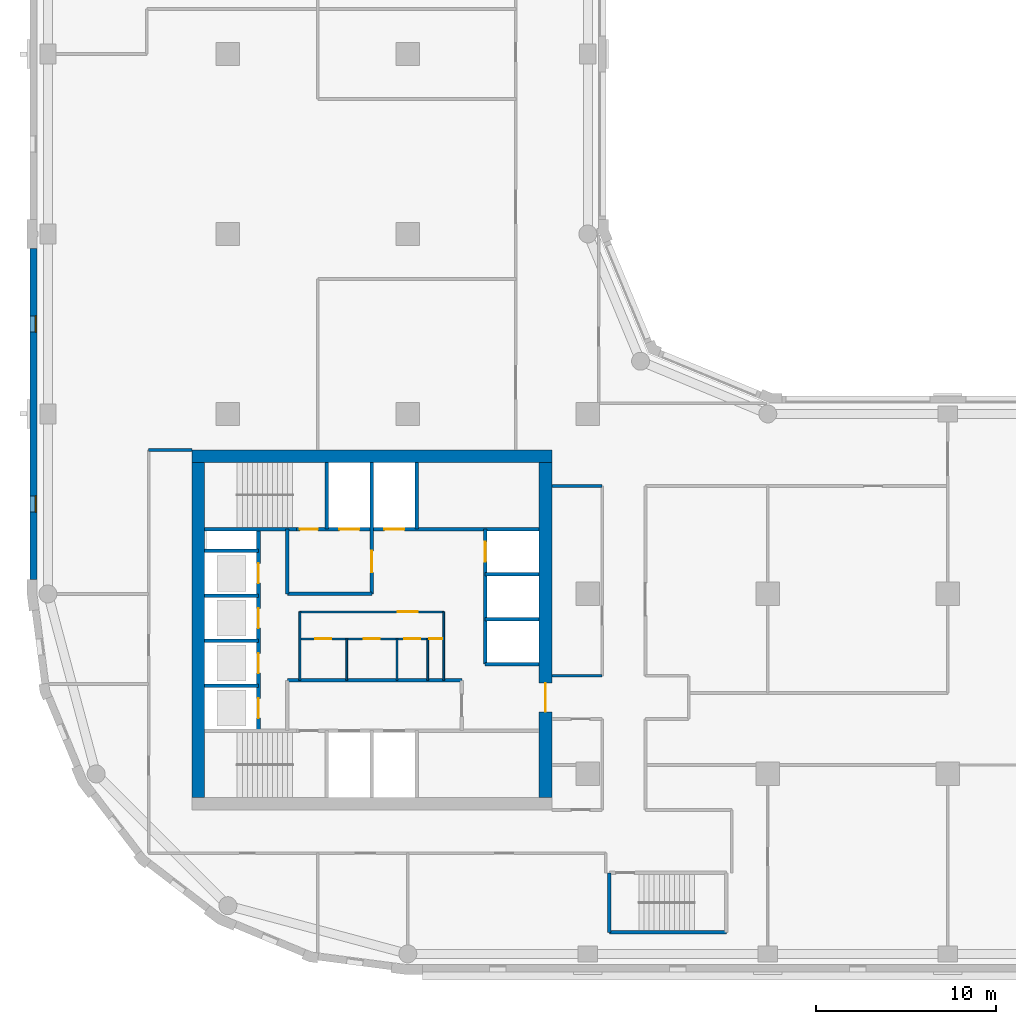
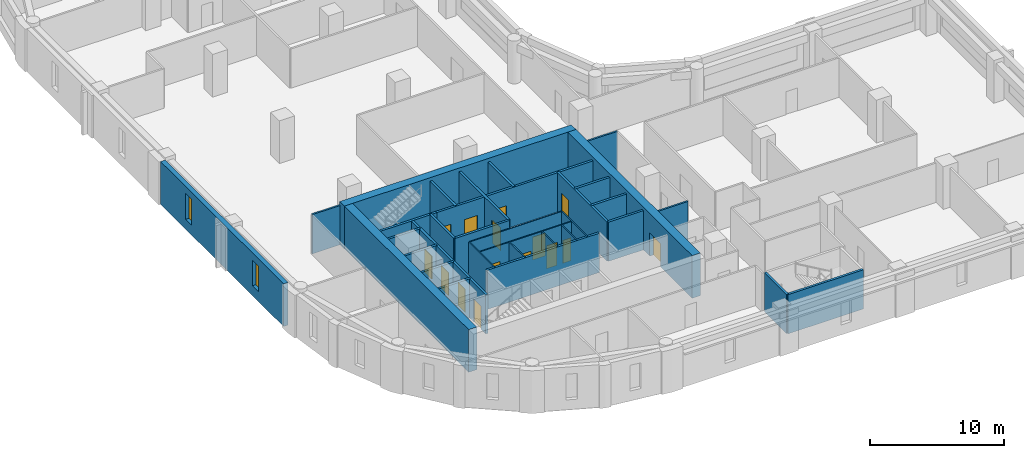
# One storey, part 3 of 9: 33 walls, 15 doors, 2 windows, 17 openings.
"""IFC4 building model written with IfcOpenShell, lengths in metres."""

from ifc_helpers import new_model, si_unit, direction, frame, frame_2d, origin, place, context, subcontext, project, spatial, rectangle, extrude, material, layer, layer_set, type_object, element, fill, save


model = new_model("IFC4")

# Units and contexts
model_context = context("Model", 3, precision=1e-05, world=origin(), true_north=direction((0.0, 1.0)))
body_context = subcontext(model_context, "Body", "Model", "MODEL_VIEW")
ifc_project = project(units=[si_unit("LENGTHUNIT", "METRE"), si_unit("AREAUNIT", "SQUARE_METRE"), si_unit("VOLUMEUNIT", "CUBIC_METRE"), si_unit("PLANEANGLEUNIT", "RADIAN"), si_unit("MASSUNIT", "GRAM", prefix="KILO")], contexts=[model_context])

# Site, building, storey
site_placement = place(None, origin())
site = spatial("IfcSite", under=ifc_project, at=site_placement, CompositionType="ELEMENT")
building_placement = place(site_placement, origin())
building = spatial("IfcBuilding", under=site, at=building_placement, Name="Qaws Garden Tower", CompositionType="ELEMENT")
storey_placement = place(building_placement, frame((0.0, 0.0, 190.199951171875)))
storey = spatial("IfcBuildingStorey", under=building, at=storey_placement, Name="L46", CompositionType="ELEMENT", Elevation=190.199951171875)

# Wall, openings, windows
ifc_material_1 = material(Name="Clay facing brick masonry", Category="masonry")
ifc_layer_1 = layer(ifc_material_1, 0.39990234375)
ifc_layer_set_1 = layer_set([ifc_layer_1], Name="Clay facing brick masonry")
wall_type_1 = type_object("IfcWallType", Name="Brick infill wall 400", PredefinedType="SOLIDWALL", material=ifc_layer_set_1)
wall_1_placement = place(storey_placement, frame((-0.800048828125, 39.199951171875, 0.0), z_axis=(0.0, 0.0, 1.0), x_axis=(0.0, -1.0, 0.0)))
wall_1 = element("IfcWall", 1, at=wall_1_placement, inside=storey, type_object=wall_type_1, Name="E-L46-infill-23", PredefinedType="SOLIDWALL", context=body_context, shape_type="SweptSolid", body=[
    extrude(rectangle(XDim=18.39990234375, YDim=0.39990234375, at=frame_2d((9.199951171875, 0.0))), origin(), (0.0, 0.0, 1.0), 3.900146484375),
])
opening_1_placement = place(wall_1_placement, frame((3.75, 0.0, 0.89990234375)))
opening_1 = element("IfcOpeningElement", 2, at=opening_1_placement, cuts=wall_1, Name="Opening W09", PredefinedType="OPENING", context=body_context, shape_type="SweptSolid", body=[
    extrude(rectangle(XDim=0.89990234375, YDim=2.35009765625, at=frame_2d((0.449951171875, 1.175048828125))), frame((0.0, 0.2099609375, 0.0), z_axis=(0.0, -1.0, 0.0), x_axis=(1.0, 0.0, 0.0)), (0.0, 0.0, 1.0), 0.419921875),
])
opening_2_placement = place(wall_1_placement, frame((13.75, 0.0, 0.89990234375)))
opening_2 = element("IfcOpeningElement", 3, at=opening_2_placement, cuts=wall_1, Name="Opening W09", PredefinedType="OPENING", context=body_context, shape_type="SweptSolid", body=[
    extrude(rectangle(XDim=0.89990234375, YDim=2.35009765625, at=frame_2d((0.449951171875, 1.175048828125))), frame((0.0, 0.2099609375, 0.0), z_axis=(0.0, -1.0, 0.0), x_axis=(1.0, 0.0, 0.0)), (0.0, 0.0, 1.0), 0.419921875),
])
ifc_material_2 = material(Name="Aluminium framed window, clear glazing", Category="aluminium")
window_type = type_object("IfcWindowType", Name="Slit window 900 x 2350", PartitioningType="SINGLE_PANEL", PredefinedType="WINDOW", material=ifc_material_2)
window_1_placement = place(opening_1_placement, origin())
window_1 = element("IfcWindow", 4, at=window_1_placement, inside=storey, type_object=window_type, Name="E-L46-window-23-0", OverallHeight=2.35009765625, OverallWidth=0.89990234375, PartitioningType="SINGLE_PANEL", PredefinedType="WINDOW", context=body_context, shape_type="SweptSolid", body=[
    extrude(rectangle(XDim=0.89990234375, YDim=2.35009765625, at=frame_2d((0.449951171875, 1.175048828125))), frame((0.0, 0.159912109375, 0.0), z_axis=(0.0, -1.0, 0.0), x_axis=(1.0, 0.0, 0.0)), (0.0, 0.0, 1.0), 0.06005859375),
])
fill(opening_1, window_1)
window_2_placement = place(opening_2_placement, origin())
window_2 = element("IfcWindow", 5, at=window_2_placement, inside=storey, type_object=window_type, Name="E-L46-window-24-0", OverallHeight=2.35009765625, OverallWidth=0.89990234375, PartitioningType="SINGLE_PANEL", PredefinedType="WINDOW", context=body_context, shape_type="SweptSolid", body=[
    extrude(rectangle(XDim=0.89990234375, YDim=2.35009765625, at=frame_2d((0.449951171875, 1.175048828125))), frame((0.0, 0.159912109375, 0.0), z_axis=(0.0, -1.0, 0.0), x_axis=(1.0, 0.0, 0.0)), (0.0, 0.0, 1.0), 0.06005859375),
])
fill(opening_2, window_2)

# Wall, openings, doors
ifc_material_3 = material(Name="Plasterboard")
ifc_layer_2 = layer(ifc_material_3, 0.10009765625)
ifc_layer_set_2 = layer_set([ifc_layer_2], Name="Plasterboard")
wall_type_2 = type_object("IfcWallType", Name="Core partition 100", PredefinedType="PARTITIONING", material=ifc_layer_set_2)
wall_2_placement = place(storey_placement, frame((14.0, 17.5, 0.0), z_axis=(0.0, 0.0, 1.0), x_axis=(1.0, 0.0, 0.0)))
wall_2 = element("IfcWall", 6, at=wall_2_placement, inside=storey, type_object=wall_type_2, Name="Core partition", PredefinedType="PARTITIONING", context=body_context, shape_type="SweptSolid", body=[
    extrude(rectangle(XDim=8.0, YDim=0.10009765625, at=frame_2d((4.0, 0.0))), origin(), (0.0, 0.0, 1.0), 3.580078125),
])
opening_3_placement = place(wall_2_placement, frame((0.85009765625, 0.0, 0.0)))
opening_3 = element("IfcOpeningElement", 7, at=opening_3_placement, cuts=wall_2, Name="Opening WD18", PredefinedType="OPENING", context=body_context, shape_type="SweptSolid", body=[
    extrude(rectangle(XDim=0.89990234375, YDim=2.10009765625, at=frame_2d((0.449951171875, 1.050048828125))), frame((0.0, 0.06005859375, 0.0), z_axis=(0.0, -1.0, 0.0), x_axis=(1.0, 0.0, 0.0)), (0.0, 0.0, 1.0), 0.1201171875),
])
opening_4_placement = place(wall_2_placement, frame((3.550048828125, 0.0, 0.0)))
opening_4 = element("IfcOpeningElement", 8, at=opening_4_placement, cuts=wall_2, Name="Opening WD19", PredefinedType="OPENING", context=body_context, shape_type="SweptSolid", body=[
    extrude(rectangle(XDim=0.89990234375, YDim=2.10009765625, at=frame_2d((0.449951171875, 1.050048828125))), frame((0.0, 0.06005859375, 0.0), z_axis=(0.0, -1.0, 0.0), x_axis=(1.0, 0.0, 0.0)), (0.0, 0.0, 1.0), 0.1201171875),
])
opening_5_placement = place(wall_2_placement, frame((5.800048828125, 0.0, 0.0)))
opening_5 = element("IfcOpeningElement", 9, at=opening_5_placement, cuts=wall_2, Name="Opening WD20", PredefinedType="OPENING", context=body_context, shape_type="SweptSolid", body=[
    extrude(rectangle(XDim=0.89990234375, YDim=2.10009765625, at=frame_2d((0.449951171875, 1.050048828125))), frame((0.0, 0.06005859375, 0.0), z_axis=(0.0, -1.0, 0.0), x_axis=(1.0, 0.0, 0.0)), (0.0, 0.0, 1.0), 0.1201171875),
])
opening_6_placement = place(wall_2_placement, frame((7.199951171875, 0.0, 0.0)))
opening_6 = element("IfcOpeningElement", 10, at=opening_6_placement, cuts=wall_2, Name="Opening XD21", PredefinedType="OPENING", context=body_context, shape_type="SweptSolid", body=[
    extrude(rectangle(XDim=0.699951171875, YDim=2.10009765625, at=frame_2d((0.35009765625, 1.050048828125))), frame((0.0, 0.06005859375, 0.0), z_axis=(0.0, -1.0, 0.0), x_axis=(1.0, 0.0, 0.0)), (0.0, 0.0, 1.0), 0.1201171875),
])
ifc_material_4 = material(Name="Timber", Category="wood")
door_type_1 = type_object("IfcDoorType", Name="Store door 700x2100", OperationType="SINGLE_SWING_LEFT", PredefinedType="DOOR", material=ifc_material_4)
door_1_placement = place(opening_6_placement, frame((0.699951171875, 0.0, 0.0), z_axis=(0.0, 0.0, 1.0), x_axis=(-1.0, 0.0, 0.0)))
door_1 = element("IfcDoor", 11, at=door_1_placement, inside=storey, type_object=door_type_1, Name="Cleaner's store door", OperationType="SINGLE_SWING_LEFT", OverallHeight=2.10009765625, OverallWidth=0.699951171875, PredefinedType="DOOR", context=body_context, shape_type="SweptSolid", body=[
    extrude(rectangle(XDim=0.699951171875, YDim=2.10009765625, at=frame_2d((0.35009765625, 1.050048828125))), frame((0.0, 0.02490234375, 0.0), z_axis=(0.0, -1.0, 0.0), x_axis=(1.0, 0.0, 0.0)), (0.0, 0.0, 1.0), 0.050048828125),
])
fill(opening_6, door_1)
ifc_material_5 = material(Name="Timber", Category="wood")
door_type_2 = type_object("IfcDoorType", Name="WC door 900x2100", OperationType="SINGLE_SWING_LEFT", PredefinedType="DOOR", material=ifc_material_5)
door_2_placement = place(opening_3_placement, frame((0.89990234375, 0.0, 0.0), z_axis=(0.0, 0.0, 1.0), x_axis=(-1.0, 0.0, 0.0)))
door_2 = element("IfcDoor", 12, at=door_2_placement, inside=storey, type_object=door_type_2, Name="Men's WC door", OperationType="SINGLE_SWING_LEFT", OverallHeight=2.10009765625, OverallWidth=0.89990234375, PredefinedType="DOOR", context=body_context, shape_type="SweptSolid", body=[
    extrude(rectangle(XDim=0.89990234375, YDim=2.10009765625, at=frame_2d((0.449951171875, 1.050048828125))), frame((0.0, 0.02490234375, 0.0), z_axis=(0.0, -1.0, 0.0), x_axis=(1.0, 0.0, 0.0)), (0.0, 0.0, 1.0), 0.050048828125),
])
fill(opening_3, door_2)
door_3_placement = place(opening_4_placement, frame((0.89990234375, 0.0, 0.0), z_axis=(0.0, 0.0, 1.0), x_axis=(-1.0, 0.0, 0.0)))
door_3 = element("IfcDoor", 13, at=door_3_placement, inside=storey, type_object=door_type_2, Name="Women's WC door", OperationType="SINGLE_SWING_LEFT", OverallHeight=2.10009765625, OverallWidth=0.89990234375, PredefinedType="DOOR", context=body_context, shape_type="SweptSolid", body=[
    extrude(rectangle(XDim=0.89990234375, YDim=2.10009765625, at=frame_2d((0.449951171875, 1.050048828125))), frame((0.0, 0.02490234375, 0.0), z_axis=(0.0, -1.0, 0.0), x_axis=(1.0, 0.0, 0.0)), (0.0, 0.0, 1.0), 0.050048828125),
])
fill(opening_4, door_3)
door_4_placement = place(opening_5_placement, frame((0.89990234375, 0.0, 0.0), z_axis=(0.0, 0.0, 1.0), x_axis=(-1.0, 0.0, 0.0)))
door_4 = element("IfcDoor", 14, at=door_4_placement, inside=storey, type_object=door_type_2, Name="Accessible WC door", OperationType="SINGLE_SWING_LEFT", OverallHeight=2.10009765625, OverallWidth=0.89990234375, PredefinedType="DOOR", context=body_context, shape_type="SweptSolid", body=[
    extrude(rectangle(XDim=0.89990234375, YDim=2.10009765625, at=frame_2d((0.449951171875, 1.050048828125))), frame((0.0, 0.02490234375, 0.0), z_axis=(0.0, -1.0, 0.0), x_axis=(1.0, 0.0, 0.0)), (0.0, 0.0, 1.0), 0.050048828125),
])
fill(opening_5, door_4)

# Wall, opening, door
wall_3_placement = place(storey_placement, frame((14.0, 19.0, 0.0), z_axis=(0.0, 0.0, 1.0), x_axis=(1.0, 0.0, 0.0)))
wall_3 = element("IfcWall", 15, at=wall_3_placement, inside=storey, type_object=wall_type_2, Name="Core partition", PredefinedType="PARTITIONING", context=body_context, shape_type="SweptSolid", body=[
    extrude(rectangle(XDim=8.0, YDim=0.10009765625, at=frame_2d((4.0, 0.0))), origin(), (0.0, 0.0, 1.0), 3.580078125),
])
opening_7_placement = place(wall_3_placement, frame((5.449951171875, 0.0, 0.0)))
opening_7 = element("IfcOpeningElement", 16, at=opening_7_placement, cuts=wall_3, Name="Opening WL17", PredefinedType="OPENING", context=body_context, shape_type="SweptSolid", body=[
    extrude(rectangle(XDim=1.10009765625, YDim=2.10009765625, at=frame_2d((0.550048828125, 1.050048828125))), frame((0.0, 0.06005859375, 0.0), z_axis=(0.0, -1.0, 0.0), x_axis=(1.0, 0.0, 0.0)), (0.0, 0.0, 1.0), 0.1201171875),
])
ifc_material_6 = material(Name="Timber", Category="wood")
door_type_3 = type_object("IfcDoorType", Name="WC lobby door 1100x2100", OperationType="SINGLE_SWING_LEFT", PredefinedType="DOOR", material=ifc_material_6)
door_5_placement = place(opening_7_placement, frame((1.10009765625, 0.0, 0.0), z_axis=(0.0, 0.0, 1.0), x_axis=(-1.0, 0.0, 0.0)))
door_5 = element("IfcDoor", 17, at=door_5_placement, inside=storey, type_object=door_type_3, Name="WC lobby door", OperationType="SINGLE_SWING_LEFT", OverallHeight=2.10009765625, OverallWidth=1.10009765625, PredefinedType="DOOR", context=body_context, shape_type="SweptSolid", body=[
    extrude(rectangle(XDim=1.10009765625, YDim=2.10009765625, at=frame_2d((0.550048828125, 1.050048828125))), frame((0.0, 0.02490234375, 0.0), z_axis=(0.0, -1.0, 0.0), x_axis=(1.0, 0.0, 0.0)), (0.0, 0.0, 1.0), 0.050048828125),
])
fill(opening_7, door_5)

# Walls
wall_4_placement = place(storey_placement, frame((14.0, 15.199951171875, 0.0), z_axis=(0.0, 0.0, 1.0), x_axis=(0.0, 1.0, 0.0)))
element("IfcWall", 18, at=wall_4_placement, inside=storey, type_object=wall_type_2, Name="Core partition", PredefinedType="PARTITIONING", context=body_context, shape_type="SweptSolid", body=[
    extrude(rectangle(XDim=3.800048828125, YDim=0.10009765625, at=frame_2d((1.89990234375, 0.0))), origin(), (0.0, 0.0, 1.0), 3.580078125),
])
for number, where, z_axis, x_axis, name in (
    (19, (16.60009765625, 15.199951171875, 0.0), (0.0, 0.0, 1.0), (0.0, 1.0, 0.0), "Core partition"),
    (20, (19.39990234375, 15.199951171875, 0.0), (0.0, 0.0, 1.0), (0.0, 1.0, 0.0), "Core partition"),
    (21, (21.10009765625, 15.199951171875, 0.0), (0.0, 0.0, 1.0), (0.0, 1.0, 0.0), "Core partition"),
):
    element("IfcWall", number, at=place(storey_placement, frame(where, z_axis=z_axis, x_axis=x_axis)), inside=storey, type_object=wall_type_2, Name=name, PredefinedType="PARTITIONING", context=body_context, shape_type="SweptSolid", body=[
        extrude(rectangle(XDim=2.300048828125, YDim=0.10009765625, at=frame_2d((1.14990234375, 0.0))), origin(), (0.0, 0.0, 1.0), 3.580078125),
    ])
wall_5_placement = place(storey_placement, frame((22.0, 15.199951171875, 0.0), z_axis=(0.0, 0.0, 1.0), x_axis=(0.0, 1.0, 0.0)))
element("IfcWall", 22, at=wall_5_placement, inside=storey, type_object=wall_type_2, Name="Core partition", PredefinedType="PARTITIONING", context=body_context, shape_type="SweptSolid", body=[
    extrude(rectangle(XDim=3.800048828125, YDim=0.10009765625, at=frame_2d((1.89990234375, 0.0))), origin(), (0.0, 0.0, 1.0), 3.580078125),
])
ifc_material_7 = material(Name="Concrete C70", Category="concrete")
ifc_layer_3 = layer(ifc_material_7, 0.199951171875)
ifc_layer_set_3 = layer_set([ifc_layer_3], Name="Concrete C70")
wall_type_3 = type_object("IfcWallType", Name="Core shaft wall 200 C70", PredefinedType="SHEAR", material=ifc_layer_set_3)
wall_6_placement = place(storey_placement, frame((31.199951171875, 1.199951171875, 0.0), z_axis=(0.0, 0.0, 1.0), x_axis=(1.0, 0.0, 0.0)))
element("IfcWall", 23, at=wall_6_placement, inside=storey, type_object=wall_type_3, Name="Shaft wall", PredefinedType="SHEAR", context=body_context, shape_type="SweptSolid", body=[
    extrude(rectangle(XDim=6.5, YDim=0.199951171875, at=frame_2d((3.25, 0.0))), origin(), (0.0, 0.0, 1.0), 3.580078125),
])
wall_7_placement = place(storey_placement, frame((8.699951171875, 14.89990234375, 0.0), z_axis=(0.0, 0.0, 1.0), x_axis=(1.0, 0.0, 0.0)))
element("IfcWall", 24, at=wall_7_placement, inside=storey, type_object=wall_type_3, Name="Shaft wall", PredefinedType="SHEAR", context=body_context, shape_type="SweptSolid", body=[
    extrude(rectangle(XDim=3.0, YDim=0.199951171875, at=frame_2d((1.5, 0.0))), origin(), (0.0, 0.0, 1.0), 3.580078125),
])
wall_8_placement = place(storey_placement, frame((13.300048828125, 15.199951171875, 0.0), z_axis=(0.0, 0.0, 1.0), x_axis=(1.0, 0.0, 0.0)))
element("IfcWall", 25, at=wall_8_placement, inside=storey, type_object=wall_type_3, Name="Shaft wall", PredefinedType="SHEAR", context=body_context, shape_type="SweptSolid", body=[
    extrude(rectangle(XDim=9.699951171875, YDim=0.199951171875, at=frame_2d((4.85009765625, 0.0))), origin(), (0.0, 0.0, 1.0), 3.580078125),
])
for number, where, z_axis, x_axis, name in (
    (26, (24.300048828125, 16.10009765625, 0.0), (0.0, 0.0, 1.0), (1.0, 0.0, 0.0), "Shaft wall"),
    (27, (8.699951171875, 17.39990234375, 0.0), (0.0, 0.0, 1.0), (1.0, 0.0, 0.0), "Shaft wall"),
    (28, (24.300048828125, 18.60009765625, 0.0), (0.0, 0.0, 1.0), (1.0, 0.0, 0.0), "Shaft wall"),
    (29, (8.699951171875, 19.89990234375, 0.0), (0.0, 0.0, 1.0), (1.0, 0.0, 0.0), "Shaft wall"),
):
    element("IfcWall", number, at=place(storey_placement, frame(where, z_axis=z_axis, x_axis=x_axis)), inside=storey, type_object=wall_type_3, Name=name, PredefinedType="SHEAR", context=body_context, shape_type="SweptSolid", body=[
        extrude(rectangle(XDim=3.0, YDim=0.199951171875, at=frame_2d((1.5, 0.0))), origin(), (0.0, 0.0, 1.0), 3.580078125),
    ])
wall_9_placement = place(storey_placement, frame((13.300048828125, 20.0, 0.0), z_axis=(0.0, 0.0, 1.0), x_axis=(1.0, 0.0, 0.0)))
element("IfcWall", 30, at=wall_9_placement, inside=storey, type_object=wall_type_3, Name="Shaft wall", PredefinedType="SHEAR", context=body_context, shape_type="SweptSolid", body=[
    extrude(rectangle(XDim=4.699951171875, YDim=0.199951171875, at=frame_2d((2.35009765625, 0.0))), origin(), (0.0, 0.0, 1.0), 3.580078125),
])
for number, where, z_axis, x_axis, name in (
    (31, (24.300048828125, 21.10009765625, 0.0), (0.0, 0.0, 1.0), (1.0, 0.0, 0.0), "Shaft wall"),
    (32, (8.699951171875, 22.39990234375, 0.0), (0.0, 0.0, 1.0), (1.0, 0.0, 0.0), "Shaft wall"),
):
    element("IfcWall", number, at=place(storey_placement, frame(where, z_axis=z_axis, x_axis=x_axis)), inside=storey, type_object=wall_type_3, Name=name, PredefinedType="SHEAR", context=body_context, shape_type="SweptSolid", body=[
        extrude(rectangle(XDim=3.0, YDim=0.199951171875, at=frame_2d((1.5, 0.0))), origin(), (0.0, 0.0, 1.0), 3.580078125),
    ])
wall_10_placement = place(storey_placement, frame((8.699951171875, 23.60009765625, 0.0), z_axis=(0.0, 0.0, 1.0), x_axis=(1.0, 0.0, 0.0)))
element("IfcWall", 33, at=wall_10_placement, inside=storey, type_object=wall_type_3, Name="Shaft wall", PredefinedType="SHEAR", context=body_context, shape_type="SweptSolid", body=[
    extrude(rectangle(XDim=5.10009765625, YDim=0.199951171875, at=frame_2d((2.550048828125, 0.0))), origin(), (0.0, 0.0, 1.0), 3.580078125),
])

# Wall, openings, doors
wall_11_placement = place(storey_placement, frame((13.800048828125, 23.60009765625, 0.0), z_axis=(0.0, 0.0, 1.0), x_axis=(1.0, 0.0, 0.0)))
wall_11 = element("IfcWall", 34, at=wall_11_placement, inside=storey, type_object=wall_type_3, Name="Shaft wall", PredefinedType="SHEAR", context=body_context, shape_type="SweptSolid", body=[
    extrude(rectangle(XDim=13.5, YDim=0.199951171875, at=frame_2d((6.75, 0.0))), origin(), (0.0, 0.0, 1.0), 3.580078125),
])
opening_8_placement = place(wall_11_placement, frame((2.39990234375, 0.0, 0.0)))
opening_8 = element("IfcOpeningElement", 35, at=opening_8_placement, cuts=wall_11, Name="Opening LD08", PredefinedType="OPENING", context=body_context, shape_type="SweptSolid", body=[
    extrude(rectangle(XDim=1.10009765625, YDim=2.10009765625, at=frame_2d((0.550048828125, 1.050048828125))), frame((0.0, 0.10986328125, 0.0), z_axis=(0.0, -1.0, 0.0), x_axis=(1.0, 0.0, 0.0)), (0.0, 0.0, 1.0), 0.219970703125),
])
opening_9_placement = place(wall_11_placement, frame((4.89990234375, 0.0, 0.0)))
opening_9 = element("IfcOpeningElement", 36, at=opening_9_placement, cuts=wall_11, Name="Opening LD09", PredefinedType="OPENING", context=body_context, shape_type="SweptSolid", body=[
    extrude(rectangle(XDim=1.10009765625, YDim=2.10009765625, at=frame_2d((0.550048828125, 1.050048828125))), frame((0.0, 0.10986328125, 0.0), z_axis=(0.0, -1.0, 0.0), x_axis=(1.0, 0.0, 0.0)), (0.0, 0.0, 1.0), 0.219970703125),
])
opening_10_placement = place(wall_11_placement, frame((0.199951171875, 0.0, 0.0)))
opening_10 = element("IfcOpeningElement", 37, at=opening_10_placement, cuts=wall_11, Name="Opening SD11", PredefinedType="OPENING", context=body_context, shape_type="SweptSolid", body=[
    extrude(rectangle(XDim=1.0, YDim=2.10009765625, at=frame_2d((0.5, 1.050048828125))), frame((0.0, 0.10986328125, 0.0), z_axis=(0.0, -1.0, 0.0), x_axis=(1.0, 0.0, 0.0)), (0.0, 0.0, 1.0), 0.219970703125),
])
ifc_material_8 = material(Name="Steel S235", Category="steel")
door_type_4 = type_object("IfcDoorType", Name="Landing door 1100x2100", OperationType="DOUBLE_DOOR_SLIDING", PredefinedType="DOOR", material=ifc_material_8)
door_6_placement = place(opening_8_placement, origin())
door_6 = element("IfcDoor", 38, at=door_6_placement, inside=storey, type_object=door_type_4, Name="Lift FF3 landing door", OperationType="DOUBLE_DOOR_SLIDING", OverallHeight=2.10009765625, OverallWidth=1.10009765625, PredefinedType="DOOR", context=body_context, shape_type="SweptSolid", body=[
    extrude(rectangle(XDim=1.10009765625, YDim=2.10009765625, at=frame_2d((0.550048828125, 1.050048828125))), frame((0.0, 0.02490234375, 0.0), z_axis=(0.0, -1.0, 0.0), x_axis=(1.0, 0.0, 0.0)), (0.0, 0.0, 1.0), 0.050048828125),
])
fill(opening_8, door_6)
door_7_placement = place(opening_9_placement, origin())
door_7 = element("IfcDoor", 39, at=door_7_placement, inside=storey, type_object=door_type_4, Name="Lift SV2 landing door", OperationType="DOUBLE_DOOR_SLIDING", OverallHeight=2.10009765625, OverallWidth=1.10009765625, PredefinedType="DOOR", context=body_context, shape_type="SweptSolid", body=[
    extrude(rectangle(XDim=1.10009765625, YDim=2.10009765625, at=frame_2d((0.550048828125, 1.050048828125))), frame((0.0, 0.02490234375, 0.0), z_axis=(0.0, -1.0, 0.0), x_axis=(1.0, 0.0, 0.0)), (0.0, 0.0, 1.0), 0.050048828125),
])
fill(opening_9, door_7)
ifc_material_9 = material(Name="Steel S235", Category="steel")
door_type_5 = type_object("IfcDoorType", Name="Stair door 1000x2100", OperationType="SINGLE_SWING_RIGHT", PredefinedType="DOOR", material=ifc_material_9)
door_8_placement = place(opening_10_placement, origin())
door_8 = element("IfcDoor", 40, at=door_8_placement, inside=storey, type_object=door_type_5, Name="Stair 4 door", OperationType="SINGLE_SWING_RIGHT", OverallHeight=2.10009765625, OverallWidth=1.0, PredefinedType="DOOR", context=body_context, shape_type="SweptSolid", body=[
    extrude(rectangle(XDim=1.0, YDim=2.10009765625, at=frame_2d((0.5, 1.050048828125))), frame((0.0, 0.02490234375, 0.0), z_axis=(0.0, -1.0, 0.0), x_axis=(1.0, 0.0, 0.0)), (0.0, 0.0, 1.0), 0.050048828125),
])
fill(opening_10, door_8)

wall_12_placement = place(storey_placement, frame((11.699951171875, 12.39990234375, 0.0), z_axis=(0.0, 0.0, 1.0), x_axis=(0.0, 1.0, 0.0)))
wall_12 = element("IfcWall", 41, at=wall_12_placement, inside=storey, type_object=wall_type_3, Name="Shaft wall", PredefinedType="SHEAR", context=body_context, shape_type="SweptSolid", body=[
    extrude(rectangle(XDim=11.2001953125, YDim=0.199951171875, at=frame_2d((5.60009765625, 0.0))), origin(), (0.0, 0.0, 1.0), 3.580078125),
])
opening_11_placement = place(wall_12_placement, frame((0.699951171875, 0.0, 0.0)))
opening_11 = element("IfcOpeningElement", 42, at=opening_11_placement, cuts=wall_12, Name="Opening LD01", PredefinedType="OPENING", context=body_context, shape_type="SweptSolid", body=[
    extrude(rectangle(XDim=1.10009765625, YDim=2.10009765625, at=frame_2d((0.550048828125, 1.050048828125))), frame((0.0, 0.10986328125, 0.0), z_axis=(0.0, -1.0, 0.0), x_axis=(1.0, 0.0, 0.0)), (0.0, 0.0, 1.0), 0.219970703125),
])
opening_12_placement = place(wall_12_placement, frame((3.199951171875, 0.0, 0.0)))
opening_12 = element("IfcOpeningElement", 43, at=opening_12_placement, cuts=wall_12, Name="Opening LD02", PredefinedType="OPENING", context=body_context, shape_type="SweptSolid", body=[
    extrude(rectangle(XDim=1.10009765625, YDim=2.10009765625, at=frame_2d((0.550048828125, 1.050048828125))), frame((0.0, 0.10986328125, 0.0), z_axis=(0.0, -1.0, 0.0), x_axis=(1.0, 0.0, 0.0)), (0.0, 0.0, 1.0), 0.219970703125),
])
opening_13_placement = place(wall_12_placement, frame((5.699951171875, 0.0, 0.0)))
opening_13 = element("IfcOpeningElement", 44, at=opening_13_placement, cuts=wall_12, Name="Opening LD03", PredefinedType="OPENING", context=body_context, shape_type="SweptSolid", body=[
    extrude(rectangle(XDim=1.10009765625, YDim=2.10009765625, at=frame_2d((0.550048828125, 1.050048828125))), frame((0.0, 0.10986328125, 0.0), z_axis=(0.0, -1.0, 0.0), x_axis=(1.0, 0.0, 0.0)), (0.0, 0.0, 1.0), 0.219970703125),
])
opening_14_placement = place(wall_12_placement, frame((8.199951171875, 0.0, 0.0)))
opening_14 = element("IfcOpeningElement", 45, at=opening_14_placement, cuts=wall_12, Name="Opening LD04", PredefinedType="OPENING", context=body_context, shape_type="SweptSolid", body=[
    extrude(rectangle(XDim=1.10009765625, YDim=2.10009765625, at=frame_2d((0.550048828125, 1.050048828125))), frame((0.0, 0.10986328125, 0.0), z_axis=(0.0, -1.0, 0.0), x_axis=(1.0, 0.0, 0.0)), (0.0, 0.0, 1.0), 0.219970703125),
])
door_9_placement = place(opening_11_placement, origin())
door_9 = element("IfcDoor", 46, at=door_9_placement, inside=storey, type_object=door_type_4, Name="Lift W1 landing door", OperationType="DOUBLE_DOOR_SLIDING", OverallHeight=2.10009765625, OverallWidth=1.10009765625, PredefinedType="DOOR", context=body_context, shape_type="SweptSolid", body=[
    extrude(rectangle(XDim=1.10009765625, YDim=2.10009765625, at=frame_2d((0.550048828125, 1.050048828125))), frame((0.0, 0.02490234375, 0.0), z_axis=(0.0, -1.0, 0.0), x_axis=(1.0, 0.0, 0.0)), (0.0, 0.0, 1.0), 0.050048828125),
])
fill(opening_11, door_9)
door_10_placement = place(opening_12_placement, origin())
door_10 = element("IfcDoor", 47, at=door_10_placement, inside=storey, type_object=door_type_4, Name="Lift W2 landing door", OperationType="DOUBLE_DOOR_SLIDING", OverallHeight=2.10009765625, OverallWidth=1.10009765625, PredefinedType="DOOR", context=body_context, shape_type="SweptSolid", body=[
    extrude(rectangle(XDim=1.10009765625, YDim=2.10009765625, at=frame_2d((0.550048828125, 1.050048828125))), frame((0.0, 0.02490234375, 0.0), z_axis=(0.0, -1.0, 0.0), x_axis=(1.0, 0.0, 0.0)), (0.0, 0.0, 1.0), 0.050048828125),
])
fill(opening_12, door_10)
door_11_placement = place(opening_13_placement, origin())
door_11 = element("IfcDoor", 48, at=door_11_placement, inside=storey, type_object=door_type_4, Name="Lift W3 landing door", OperationType="DOUBLE_DOOR_SLIDING", OverallHeight=2.10009765625, OverallWidth=1.10009765625, PredefinedType="DOOR", context=body_context, shape_type="SweptSolid", body=[
    extrude(rectangle(XDim=1.10009765625, YDim=2.10009765625, at=frame_2d((0.550048828125, 1.050048828125))), frame((0.0, 0.02490234375, 0.0), z_axis=(0.0, -1.0, 0.0), x_axis=(1.0, 0.0, 0.0)), (0.0, 0.0, 1.0), 0.050048828125),
])
fill(opening_13, door_11)
door_12_placement = place(opening_14_placement, origin())
door_12 = element("IfcDoor", 49, at=door_12_placement, inside=storey, type_object=door_type_4, Name="Lift W4 landing door", OperationType="DOUBLE_DOOR_SLIDING", OverallHeight=2.10009765625, OverallWidth=1.10009765625, PredefinedType="DOOR", context=body_context, shape_type="SweptSolid", body=[
    extrude(rectangle(XDim=1.10009765625, YDim=2.10009765625, at=frame_2d((0.550048828125, 1.050048828125))), frame((0.0, 0.02490234375, 0.0), z_axis=(0.0, -1.0, 0.0), x_axis=(1.0, 0.0, 0.0)), (0.0, 0.0, 1.0), 0.050048828125),
])
fill(opening_14, door_12)

# Walls
wall_13_placement = place(storey_placement, frame((13.300048828125, 20.0, 0.0), z_axis=(0.0, 0.0, 1.0), x_axis=(0.0, 1.0, 0.0)))
element("IfcWall", 50, at=wall_13_placement, inside=storey, type_object=wall_type_3, Name="Shaft wall", PredefinedType="SHEAR", context=body_context, shape_type="SweptSolid", body=[
    extrude(rectangle(XDim=3.60009765625, YDim=0.199951171875, at=frame_2d((1.800048828125, 0.0))), origin(), (0.0, 0.0, 1.0), 3.580078125),
])
wall_14_placement = place(storey_placement, frame((15.5, 23.60009765625, 0.0), z_axis=(0.0, 0.0, 1.0), x_axis=(0.0, 1.0, 0.0)))
element("IfcWall", 51, at=wall_14_placement, inside=storey, type_object=wall_type_3, Name="Shaft wall", PredefinedType="SHEAR", context=body_context, shape_type="SweptSolid", body=[
    extrude(rectangle(XDim=3.699951171875, YDim=0.199951171875, at=frame_2d((1.85009765625, 0.0))), origin(), (0.0, 0.0, 1.0), 3.580078125),
])

# Wall, opening, door
wall_15_placement = place(storey_placement, frame((18.0, 20.0, 0.0), z_axis=(0.0, 0.0, 1.0), x_axis=(0.0, 1.0, 0.0)))
wall_15 = element("IfcWall", 52, at=wall_15_placement, inside=storey, type_object=wall_type_3, Name="Shaft wall", PredefinedType="SHEAR", context=body_context, shape_type="SweptSolid", body=[
    extrude(rectangle(XDim=7.300048828125, YDim=0.199951171875, at=frame_2d((3.64990234375, 0.0))), origin(), (0.0, 0.0, 1.0), 3.580078125),
])
opening_15_placement = place(wall_15_placement, frame((1.199951171875, 0.0, 0.0)))
opening_15 = element("IfcOpeningElement", 53, at=opening_15_placement, cuts=wall_15, Name="Opening FD16", PredefinedType="OPENING", context=body_context, shape_type="SweptSolid", body=[
    extrude(rectangle(XDim=1.199951171875, YDim=2.10009765625, at=frame_2d((0.60009765625, 1.050048828125))), frame((0.0, 0.10986328125, 0.0), z_axis=(0.0, -1.0, 0.0), x_axis=(1.0, 0.0, 0.0)), (0.0, 0.0, 1.0), 0.219970703125),
])
ifc_material_10 = material(Name="Steel S235", Category="steel")
door_type_6 = type_object("IfcDoorType", Name="Lobby door 1200x2100", OperationType="DOUBLE_DOOR_SINGLE_SWING", PredefinedType="DOOR", material=ifc_material_10)
door_13_placement = place(opening_15_placement, origin())
door_13 = element("IfcDoor", 54, at=door_13_placement, inside=storey, type_object=door_type_6, Name="Fire-fighting lobby door", OperationType="DOUBLE_DOOR_SINGLE_SWING", OverallHeight=2.10009765625, OverallWidth=1.199951171875, PredefinedType="DOOR", context=body_context, shape_type="SweptSolid", body=[
    extrude(rectangle(XDim=1.199951171875, YDim=2.10009765625, at=frame_2d((0.60009765625, 1.050048828125))), frame((0.0, 0.02490234375, 0.0), z_axis=(0.0, -1.0, 0.0), x_axis=(1.0, 0.0, 0.0)), (0.0, 0.0, 1.0), 0.050048828125),
])
fill(opening_15, door_13)

# Wall
wall_16_placement = place(storey_placement, frame((20.5, 23.60009765625, 0.0), z_axis=(0.0, 0.0, 1.0), x_axis=(0.0, 1.0, 0.0)))
element("IfcWall", 55, at=wall_16_placement, inside=storey, type_object=wall_type_3, Name="Shaft wall", PredefinedType="SHEAR", context=body_context, shape_type="SweptSolid", body=[
    extrude(rectangle(XDim=3.699951171875, YDim=0.199951171875, at=frame_2d((1.85009765625, 0.0))), origin(), (0.0, 0.0, 1.0), 3.580078125),
])

# Wall, opening, door
wall_17_placement = place(storey_placement, frame((24.300048828125, 16.10009765625, 0.0), z_axis=(0.0, 0.0, 1.0), x_axis=(0.0, 1.0, 0.0)))
wall_17 = element("IfcWall", 56, at=wall_17_placement, inside=storey, type_object=wall_type_3, Name="Shaft wall", PredefinedType="SHEAR", context=body_context, shape_type="SweptSolid", body=[
    extrude(rectangle(XDim=7.5, YDim=0.199951171875, at=frame_2d((3.75, 0.0))), origin(), (0.0, 0.0, 1.0), 3.580078125),
])
opening_16_placement = place(wall_17_placement, frame((5.699951171875, 0.0, 0.0)))
opening_16 = element("IfcOpeningElement", 57, at=opening_16_placement, cuts=wall_17, Name="Opening LD05", PredefinedType="OPENING", context=body_context, shape_type="SweptSolid", body=[
    extrude(rectangle(XDim=1.10009765625, YDim=2.10009765625, at=frame_2d((0.550048828125, 1.050048828125))), frame((0.0, 0.10986328125, 0.0), z_axis=(0.0, -1.0, 0.0), x_axis=(1.0, 0.0, 0.0)), (0.0, 0.0, 1.0), 0.219970703125),
])
door_14_placement = place(opening_16_placement, origin())
door_14 = element("IfcDoor", 58, at=door_14_placement, inside=storey, type_object=door_type_4, Name="Lift E3 landing door", OperationType="DOUBLE_DOOR_SLIDING", OverallHeight=2.10009765625, OverallWidth=1.10009765625, PredefinedType="DOOR", context=body_context, shape_type="SweptSolid", body=[
    extrude(rectangle(XDim=1.10009765625, YDim=2.10009765625, at=frame_2d((0.550048828125, 1.050048828125))), frame((0.0, 0.02490234375, 0.0), z_axis=(0.0, -1.0, 0.0), x_axis=(1.0, 0.0, 0.0)), (0.0, 0.0, 1.0), 0.050048828125),
])
fill(opening_16, door_14)

# Wall
wall_18_placement = place(storey_placement, frame((31.199951171875, 1.199951171875, 0.0), z_axis=(0.0, 0.0, 1.0), x_axis=(0.0, 1.0, 0.0)))
element("IfcWall", 59, at=wall_18_placement, inside=storey, type_object=wall_type_3, Name="Shaft wall", PredefinedType="SHEAR", context=body_context, shape_type="SweptSolid", body=[
    extrude(rectangle(XDim=3.300048828125, YDim=0.199951171875, at=frame_2d((1.64990234375, 0.0))), origin(), (0.0, 0.0, 1.0), 3.580078125),
])

# Wall, opening, door
ifc_material_11 = material(Name="Concrete C70", Category="concrete")
ifc_layer_4 = layer(ifc_material_11, 0.699951171875)
ifc_layer_set_4 = layer_set([ifc_layer_4], Name="Concrete C70")
wall_type_4 = type_object("IfcWallType", Name="Core wall 700 C70", PredefinedType="SHEAR", material=ifc_layer_set_4)
wall_19_placement = place(storey_placement, frame((27.64990234375, 8.699951171875, 0.0), z_axis=(0.0, 0.0, 1.0), x_axis=(0.0, 1.0, 0.0)))
wall_19 = element("IfcWall", 60, at=wall_19_placement, inside=storey, type_object=wall_type_4, Name="Core wall L46 east", PredefinedType="SHEAR", context=body_context, shape_type="SweptSolid", body=[
    extrude(rectangle(XDim=18.60009765625, YDim=0.699951171875, at=frame_2d((9.300048828125, 0.0))), origin(), (0.0, 0.0, 1.0), 3.900146484375),
])
opening_17_placement = place(wall_19_placement, frame((4.75, 0.0, 0.0)))
opening_17 = element("IfcOpeningElement", 61, at=opening_17_placement, cuts=wall_19, Name="Opening ED22", PredefinedType="OPENING", context=body_context, shape_type="SweptSolid", body=[
    extrude(rectangle(XDim=1.60009765625, YDim=2.10009765625, at=frame_2d((0.800048828125, 1.050048828125))), frame((0.0, 0.35986328125, 0.0), z_axis=(0.0, -1.0, 0.0), x_axis=(1.0, 0.0, 0.0)), (0.0, 0.0, 1.0), 0.719970703125),
])
ifc_material_12 = material(Name="Steel S235", Category="steel")
door_type_7 = type_object("IfcDoorType", Name="Core entrance door 1600x2100", OperationType="DOUBLE_DOOR_SINGLE_SWING", PredefinedType="DOOR", material=ifc_material_12)
door_15_placement = place(opening_17_placement, origin())
door_15 = element("IfcDoor", 62, at=door_15_placement, inside=storey, type_object=door_type_7, Name="Core entrance door", OperationType="DOUBLE_DOOR_SINGLE_SWING", OverallHeight=2.10009765625, OverallWidth=1.60009765625, PredefinedType="DOOR", context=body_context, shape_type="SweptSolid", body=[
    extrude(rectangle(XDim=1.60009765625, YDim=2.10009765625, at=frame_2d((0.800048828125, 1.050048828125))), frame((0.0, 0.02490234375, 0.0), z_axis=(0.0, -1.0, 0.0), x_axis=(1.0, 0.0, 0.0)), (0.0, 0.0, 1.0), 0.050048828125),
])
fill(opening_17, door_15)

# Walls
wall_20_placement = place(storey_placement, frame((28.0, 27.64990234375, 0.0), z_axis=(0.0, 0.0, 1.0), x_axis=(-1.0, 0.0, 0.0)))
element("IfcWall", 63, at=wall_20_placement, inside=storey, type_object=wall_type_4, Name="Core wall L46 north", PredefinedType="SHEAR", context=body_context, shape_type="SweptSolid", body=[
    extrude(rectangle(XDim=20.0, YDim=0.699951171875, at=frame_2d((10.0, 0.0))), origin(), (0.0, 0.0, 1.0), 3.900146484375),
])
wall_21_placement = place(storey_placement, frame((8.35009765625, 27.300048828125, 0.0), z_axis=(0.0, 0.0, 1.0), x_axis=(0.0, -1.0, 0.0)))
element("IfcWall", 64, at=wall_21_placement, inside=storey, type_object=wall_type_4, Name="Core wall L46 west", PredefinedType="SHEAR", context=body_context, shape_type="SweptSolid", body=[
    extrude(rectangle(XDim=18.60009765625, YDim=0.699951171875, at=frame_2d((9.300048828125, 0.0))), origin(), (0.0, 0.0, 1.0), 3.900146484375),
])
ifc_material_13 = material(Name="Gypsum board partition")
ifc_layer_5 = layer(ifc_material_13, 0.14990234375)
ifc_layer_set_5 = layer_set([ifc_layer_5], Name="Gypsum board partition")
wall_type_5 = type_object("IfcWallType", Name="PARTITION 150 EI 60", PredefinedType="PARTITIONING", material=ifc_layer_set_5)
for number, where, z_axis, x_axis, name in (
    (65, (28.0, 15.449951171875, 0.0), (0.0, 0.0, 1.0), (1.0, 0.0, 0.0), "O-L46-wall-037"),
    (66, (28.0, 26.0, 0.0), (0.0, 0.0, 1.0), (1.0, 0.0, 0.0), "O-L46-wall-040"),
):
    element("IfcWall", number, at=place(storey_placement, frame(where, z_axis=z_axis, x_axis=x_axis)), inside=storey, type_object=wall_type_5, Name=name, PredefinedType="PARTITIONING", context=body_context, shape_type="SweptSolid", body=[
        extrude(rectangle(XDim=2.800048828125, YDim=0.14990234375, at=frame_2d((1.39990234375, 0.0))), origin(), (0.0, 0.0, 1.0), 3.580078125),
    ])
wall_22_placement = place(storey_placement, frame((5.60009765625, 28.0, 0.0), z_axis=(0.0, 0.0, 1.0), x_axis=(1.0, 0.0, 0.0)))
element("IfcWall", 67, at=wall_22_placement, inside=storey, type_object=wall_type_5, Name="O-L46-wall-042", PredefinedType="PARTITIONING", context=body_context, shape_type="SweptSolid", body=[
    extrude(rectangle(XDim=2.39990234375, YDim=0.14990234375, at=frame_2d((1.199951171875, 0.0))), origin(), (0.0, 0.0, 1.0), 3.580078125),
])

save(model, "model.ifc")
